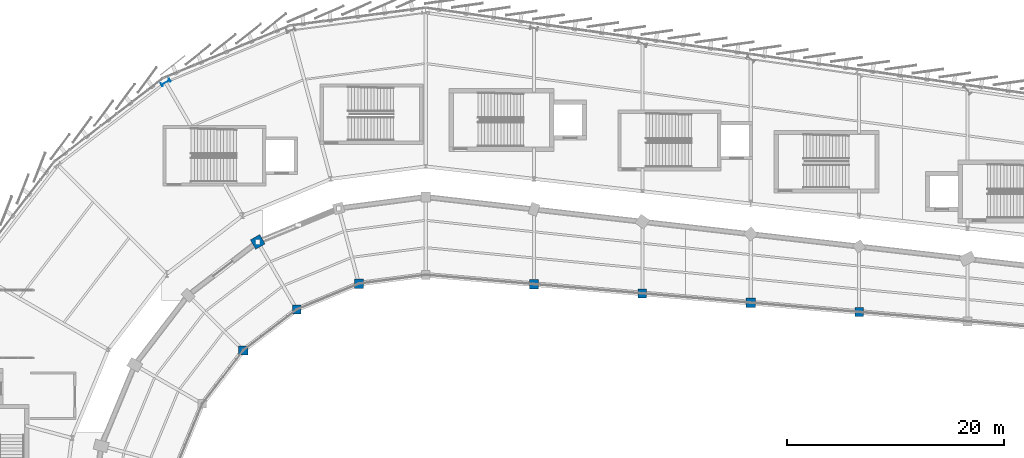
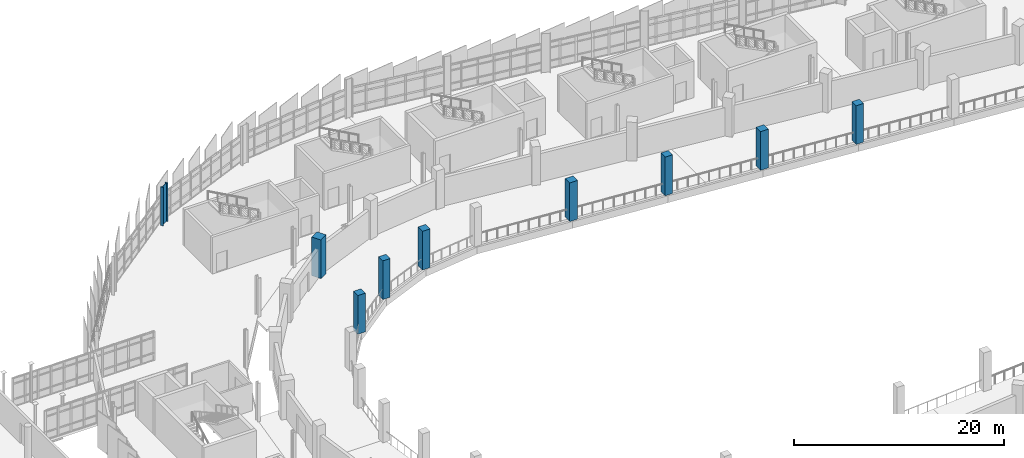
# One storey, part 15 of 125: 9 columns.
"""IFC4 building model written with IfcOpenShell, lengths in metres."""

from ifc_helpers import new_model, si_unit, direction, frame, origin, origin_2d, place, context, subcontext, project, spatial, rectangle, i_section, extrude, material, material_profile, profile_set, type_object, element, save


model = new_model("IFC4")

# Units and contexts
model_context = context("Model", 3, precision=1e-05, world=origin(), true_north=direction((0.0, 1.0)))
body_context = subcontext(model_context, "Body", "Model", "MODEL_VIEW")
ifc_project = project(units=[si_unit("LENGTHUNIT", "METRE"), si_unit("AREAUNIT", "SQUARE_METRE"), si_unit("VOLUMEUNIT", "CUBIC_METRE"), si_unit("PLANEANGLEUNIT", "RADIAN"), si_unit("MASSUNIT", "GRAM", prefix="KILO")], contexts=[model_context])

# Site, building, storey
site_placement = place(None, origin())
site = spatial("IfcSite", under=ifc_project, at=site_placement, CompositionType="ELEMENT")
building_placement = place(site_placement, origin())
building = spatial("IfcBuilding", under=site, at=building_placement, Name="Sohan Crest Arena", CompositionType="ELEMENT")
storey_placement = place(building_placement, frame((0.0, 0.0, 9.0)))
storey = spatial("IfcBuildingStorey", under=building, at=storey_placement, Name="L02", CompositionType="ELEMENT", Elevation=9.0)

# Columns
ifc_material_1 = material(Name="Concrete C40/50", Category="concrete")
ifc_material_profile_1 = material_profile(ifc_material_1, rectangle(XDim=0.800048828125, YDim=0.800048828125, at=origin_2d()), Name="RC 800x800")
ifc_profile_set_1 = profile_set([ifc_material_profile_1], Name="Concrete C40/50")
column_type_1 = type_object("IfcColumnType", Name="STR-COL-C05", PredefinedType="COLUMN", material=ifc_profile_set_1)
for number, where, z_axis, x_axis, name in (
    (1, (86.10009765625, 98.611083984375, 0.0), (0.0, 0.0, 1.0), (1.0, 0.0, 0.0), "Structural column COL-V1M-03-L02"),
    (2, (138.0, 98.37109375, 0.0), (0.0, 0.0, 1.0), (1.0, 0.0, 0.0), "Structural column COL-V1M-31-L02"),
    (3, (118.0, 100.0859375, 0.0), (0.0, 0.0, 1.0), (1.0, 0.0, 0.0), "Structural column COL-V1M-33-L02"),
):
    element("IfcColumn", number, at=place(storey_placement, frame(where, z_axis=z_axis, x_axis=x_axis)), inside=storey, type_object=column_type_1, Name=name, PredefinedType="COLUMN", context=body_context, shape_type="SweptSolid", body=[
        extrude(rectangle(XDim=0.800048828125, YDim=0.800048828125, at=origin_2d()), origin(), (0.0, 0.0, 1.0), 4.5),
    ])
ifc_material_profile_2 = material_profile(ifc_material_1, rectangle(XDim=0.85009765625, YDim=0.85009765625, at=origin_2d()), Name="RC 850x850")
ifc_profile_set_2 = profile_set([ifc_material_profile_2], Name="Concrete C40/50")
column_type_2 = type_object("IfcColumnType", Name="STR-COL-C06", PredefinedType="COLUMN", material=ifc_profile_set_2)
for number, where, z_axis, x_axis, name in (
    (4, (91.840087890625, 100.989013671875, 0.0), (0.0, 0.0, 1.0), (1.0, 0.0, 0.0), "Structural column COL-V1M-02-L02"),
    (5, (81.1708984375, 94.8291015625, 0.0), (0.0, 0.0, 1.0), (1.0, 0.0, 0.0), "Structural column COL-V1M-04-L02"),
    (6, (128.0, 99.22900390625, 0.0), (0.0, 0.0, 1.0), (1.0, 0.0, 0.0), "Structural column COL-V1M-32-L02"),
    (7, (108.0, 100.943115234375, 0.0), (0.0, 0.0, 1.0), (1.0, 0.0, 0.0), "Structural column COL-V1M-34-L02"),
):
    element("IfcColumn", number, at=place(storey_placement, frame(where, z_axis=z_axis, x_axis=x_axis)), inside=storey, type_object=column_type_2, Name=name, PredefinedType="COLUMN", context=body_context, shape_type="SweptSolid", body=[
        extrude(rectangle(XDim=0.85009765625, YDim=0.85009765625, at=origin_2d()), origin(), (0.0, 0.0, 1.0), 4.5),
    ])
ifc_material_profile_3 = material_profile(ifc_material_1, rectangle(XDim=1.0, YDim=1.0, at=origin_2d()), Name="RC 1000x1000")
ifc_profile_set_3 = profile_set([ifc_material_profile_3], Name="Concrete C40/50")
column_type_3 = type_object("IfcColumnType", Name="STR-COL-C09", PredefinedType="COLUMN", material=ifc_profile_set_3)
column_1_placement = place(storey_placement, frame((82.5, 104.846923828125, 0.0), z_axis=(0.0, 0.0, 1.0), x_axis=(-0.5, 0.866025403784, 0.0)))
element("IfcColumn", 8, at=column_1_placement, inside=storey, type_object=column_type_3, Name="Structural column COL-V1R-03-L02", PredefinedType="COLUMN", context=body_context, shape_type="SweptSolid", body=[
    extrude(rectangle(XDim=1.0, YDim=1.0, at=origin_2d()), origin(), (0.0, 0.0, 1.0), 4.5),
])
ifc_material_2 = material(Name="Steel S355", Category="steel")
ifc_material_profile_4 = material_profile(ifc_material_2, i_section(OverallWidth=0.300048828125, OverallDepth=0.89990234375, WebThickness=0.0185546875, FlangeThickness=0.034912109375, at=origin_2d()), Name="HEB 900")
ifc_profile_set_4 = profile_set([ifc_material_profile_4], Name="Steel S355")
column_type_4 = type_object("IfcColumnType", Name="STR-COL-C23", PredefinedType="COLUMN", material=ifc_profile_set_4)
column_2_placement = place(storey_placement, frame((74.0, 119.569091796875, 0.0), z_axis=(0.0, 0.0, 1.0), x_axis=(-0.5, 0.866025403784, 0.0)))
element("IfcColumn", 9, at=column_2_placement, inside=storey, type_object=column_type_4, Name="Structural column COL-V2O-03-L02", PredefinedType="COLUMN", context=body_context, shape_type="SweptSolid", body=[
    extrude(i_section(OverallWidth=0.300048828125, OverallDepth=0.89990234375, WebThickness=0.0185546875, FlangeThickness=0.034912109375, at=origin_2d()), origin(), (0.0, 0.0, 1.0), 4.5),
])

save(model, "model.ifc")
